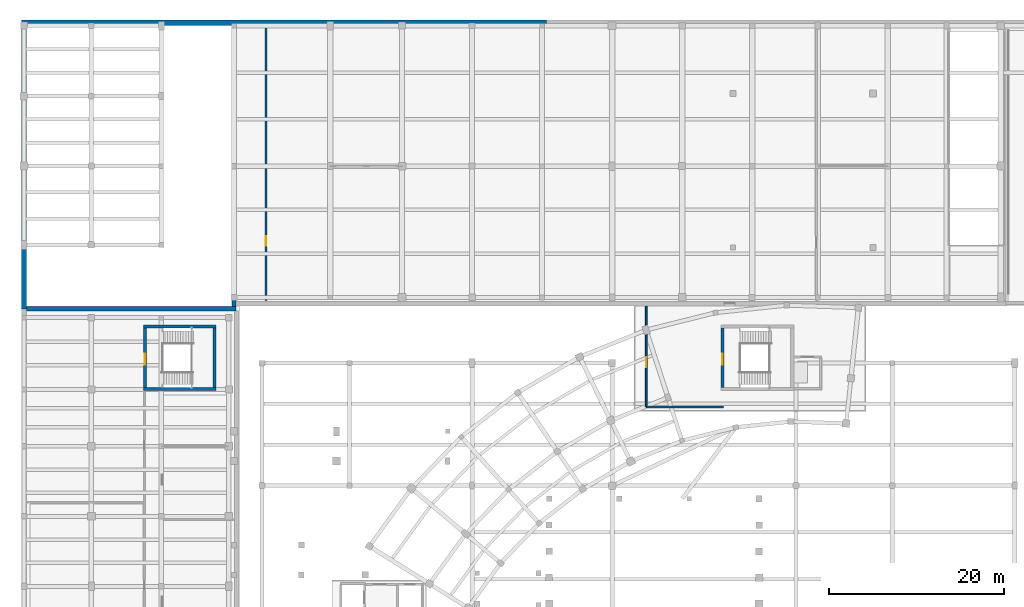
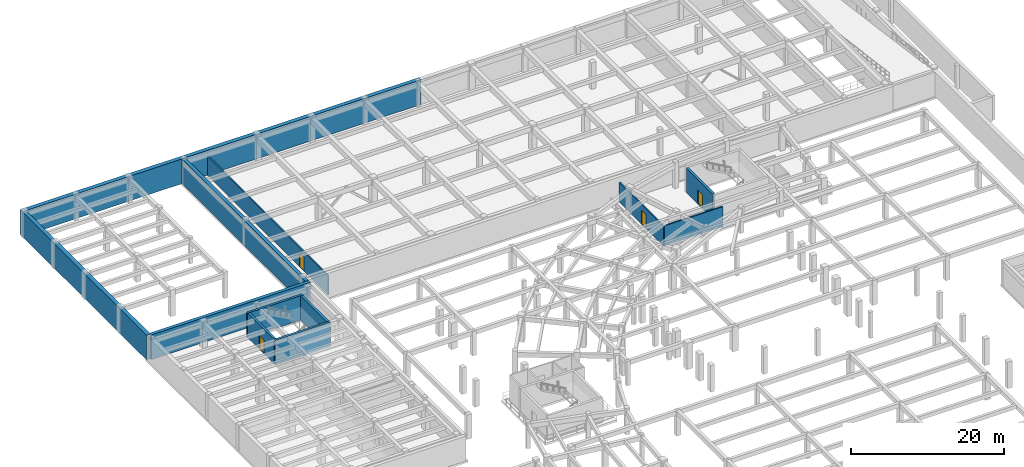
# One storey, part 24 of 35: 12 walls, 4 doors, 4 openings.
"""IFC4 building model written with IfcOpenShell, lengths in metres."""

from ifc_helpers import new_model, si_unit, direction, frame, frame_2d, origin, place, context, subcontext, project, spatial, rectangle, extrude, material, layer, layer_set, type_object, element, fill, save


model = new_model("IFC4")

# Units and contexts
model_context = context("Model", 3, precision=1e-05, world=origin(), true_north=direction((0.0, 1.0)))
body_context = subcontext(model_context, "Body", "Model", "MODEL_VIEW")
ifc_project = project(units=[si_unit("LENGTHUNIT", "METRE"), si_unit("AREAUNIT", "SQUARE_METRE"), si_unit("VOLUMEUNIT", "CUBIC_METRE"), si_unit("PLANEANGLEUNIT", "RADIAN"), si_unit("MASSUNIT", "GRAM", prefix="KILO"), si_unit("THERMODYNAMICTEMPERATUREUNIT", "KELVIN"), si_unit("POWERUNIT", "WATT")], contexts=[model_context])

# Site, building, storey
site_placement = place(None, origin())
site = spatial("IfcSite", under=ifc_project, at=site_placement, CompositionType="ELEMENT")
building_placement = place(site_placement, origin())
building = spatial("IfcBuilding", under=site, at=building_placement, Name="Solvatero Civic Police Headquarters", CompositionType="ELEMENT")
storey_placement = place(building_placement, frame((0.0, 0.0, -4.199951171875)))
storey = spatial("IfcBuildingStorey", under=building, at=storey_placement, Name="B01", CompositionType="ELEMENT", Elevation=-4.199951171875)

# Wall, opening, door
ifc_material_1 = material(Name="Concrete Blockwork", Category="masonry")
ifc_layer_1 = layer(ifc_material_1, 0.199951171875)
ifc_layer_set_1 = layer_set([ifc_layer_1], Name="Concrete Blockwork")
wall_type_1 = type_object("IfcWallType", Name="WL-PTN-200", PredefinedType="PARTITIONING", material=ifc_layer_set_1)
wall_1_placement = place(storey_placement, frame((32.449951171875, 85.199951171875, 0.0), z_axis=(0.0, 0.0, 1.0), x_axis=(0.0, 1.0, 0.0)))
wall_1 = element("IfcWall", 1, at=wall_1_placement, inside=storey, type_object=wall_type_1, Name="Interior Partition WLP-B01-ARMBAY-E", PredefinedType="PARTITIONING", context=body_context, shape_type="SweptSolid", body=[
    extrude(rectangle(XDim=31.300048828125, YDim=0.199951171875, at=frame_2d((15.64990234375, 0.0))), origin(), (0.0, 0.0, 1.0), 3.06787109375),
])
opening_1_placement = place(wall_1_placement, frame((6.199951171875, 0.0, 0.0)))
opening_1 = element("IfcOpeningElement", 2, at=opening_1_placement, cuts=wall_1, Name="Opening ID-09", PredefinedType="OPENING", context=body_context, shape_type="SweptSolid", body=[
    extrude(rectangle(XDim=1.1201171875, YDim=2.199951171875, at=frame_2d((0.56005859375, 1.10009765625))), frame((0.0, 0.10986328125, 0.0), z_axis=(0.0, -1.0, 0.0), x_axis=(1.0, 0.0, 0.0)), (0.0, 0.0, 1.0), 0.219970703125),
])
ifc_material_2 = material(Name="Powder-Coated Steel", Category="steel")
door_type_1 = type_object("IfcDoorType", Name="DR-PLT-112x220", OperationType="NOTDEFINED", PredefinedType="DOOR", material=ifc_material_2)
door_1_placement = place(opening_1_placement, origin())
door_1 = element("IfcDoor", 3, at=door_1_placement, inside=storey, type_object=door_type_1, Name="Interior Door DR-B01-ARMBAY", OperationType="SINGLE_SWING_RIGHT", OverallHeight=2.199951171875, OverallWidth=1.1201171875, PredefinedType="DOOR", context=body_context, shape_type="SweptSolid", body=[
    extrude(rectangle(XDim=1.1201171875, YDim=2.199951171875, at=frame_2d((0.56005859375, 1.10009765625))), frame((0.0, 0.02490234375, 0.0), z_axis=(0.0, -1.0, 0.0), x_axis=(1.0, 0.0, 0.0)), (0.0, 0.0, 1.0), 0.050048828125),
])
fill(opening_1, door_1)

wall_2_placement = place(storey_placement, frame((75.89990234375, 73.0, 0.0), z_axis=(0.0, 0.0, 1.0), x_axis=(0.0, 1.0, 0.0)))
wall_2 = element("IfcWall", 4, at=wall_2_placement, inside=storey, type_object=wall_type_1, Name="Interior Partition WLP-B01-C3LOB-W", PredefinedType="PARTITIONING", context=body_context, shape_type="SweptSolid", body=[
    extrude(rectangle(XDim=11.5, YDim=0.199951171875, at=frame_2d((5.75, 0.0))), origin(), (0.0, 0.0, 1.0), 3.137939453125),
])
opening_2_placement = place(wall_2_placement, frame((4.5, 0.0, 0.0)))
opening_2 = element("IfcOpeningElement", 5, at=opening_2_placement, cuts=wall_2, Name="Opening ID-11", PredefinedType="OPENING", context=body_context, shape_type="SweptSolid", body=[
    extrude(rectangle(XDim=1.179931640625, YDim=2.239990234375, at=frame_2d((0.58984375, 1.1201171875))), frame((0.0, 0.10986328125, 0.0), z_axis=(0.0, -1.0, 0.0), x_axis=(1.0, 0.0, 0.0)), (0.0, 0.0, 1.0), 0.219970703125),
])
door_type_2 = type_object("IfcDoorType", Name="DR-COR-118x224", OperationType="NOTDEFINED", PredefinedType="DOOR", material=ifc_material_2)
door_2_placement = place(opening_2_placement, origin())
door_2 = element("IfcDoor", 6, at=door_2_placement, inside=storey, type_object=door_type_2, Name="Interior Door DR-B01-C3LOB", OperationType="SINGLE_SWING_RIGHT", OverallHeight=2.239990234375, OverallWidth=1.179931640625, PredefinedType="DOOR", context=body_context, shape_type="SweptSolid", body=[
    extrude(rectangle(XDim=1.179931640625, YDim=2.239990234375, at=frame_2d((0.58984375, 1.1201171875))), frame((0.0, 0.02490234375, 0.0), z_axis=(0.0, -1.0, 0.0), x_axis=(1.0, 0.0, 0.0)), (0.0, 0.0, 1.0), 0.050048828125),
])
fill(opening_2, door_2)

# Walls
wall_3_placement = place(storey_placement, frame((75.89990234375, 73.0, 0.0), z_axis=(0.0, 0.0, 1.0), x_axis=(1.0, 0.0, 0.0)))
element("IfcWall", 7, at=wall_3_placement, inside=storey, type_object=wall_type_1, Name="Interior Partition WLP-B01-C3LOB-S", PredefinedType="PARTITIONING", context=body_context, shape_type="SweptSolid", body=[
    extrude(rectangle(XDim=8.800048828125, YDim=0.199951171875, at=frame_2d((4.39990234375, 0.0))), origin(), (0.0, 0.0, 1.0), 3.18798828125),
])
ifc_material_3 = material(Name="Concrete C35/45", Category="concrete")
ifc_layer_2 = layer(ifc_material_3, 0.5)
ifc_layer_set_2 = layer_set([ifc_layer_2], Name="Concrete C35/45")
wall_type_2 = type_object("IfcWallType", Name="WL-RET-500", PredefinedType="USERDEFINED", material=ifc_layer_set_2)
wall_4_placement = place(storey_placement, frame((28.800048828125, 84.449951171875, 0.0), z_axis=(0.0, 0.0, 1.0), x_axis=(0.0, 1.0, 0.0)))
element("IfcWall", 8, at=wall_4_placement, inside=storey, type_object=wall_type_2, Name="B01 Watertight Tanked Retaining Wall RW-INT-NW", ObjectType="RETAINING WALL", PredefinedType="USERDEFINED", context=body_context, shape_type="SweptSolid", body=[
    extrude(rectangle(XDim=32.150146484375, YDim=0.5, at=frame_2d((16.0751953125, 0.0))), origin(), (0.0, 0.0, 1.0), 3.93994140625),
])
wall_5_placement = place(storey_placement, frame((5.10009765625, 84.199951171875, 0.0), z_axis=(0.0, 0.0, 1.0), x_axis=(1.0, 0.0, 0.0)))
element("IfcWall", 9, at=wall_5_placement, inside=storey, type_object=wall_type_2, Name="B01 Watertight Tanked Retaining Wall RW-INT-WN", ObjectType="RETAINING WALL", PredefinedType="USERDEFINED", context=body_context, shape_type="SweptSolid", body=[
    extrude(rectangle(XDim=23.949951171875, YDim=0.5, at=frame_2d((11.97509765625, 0.0))), origin(), (0.0, 0.0, 1.0), 3.93994140625),
])
ifc_layer_3 = layer(ifc_material_3, 0.60009765625)
ifc_layer_set_3 = layer_set([ifc_layer_3], Name="Concrete C35/45")
wall_type_3 = type_object("IfcWallType", Name="WL-RET-600", PredefinedType="USERDEFINED", material=ifc_layer_set_3)
wall_6_placement = place(storey_placement, frame((4.5, 116.89990234375, 0.0), z_axis=(0.0, 0.0, 1.0), x_axis=(1.0, 0.0, 0.0)))
element("IfcWall", 10, at=wall_6_placement, inside=storey, type_object=wall_type_3, Name="B01 Watertight Tanked Retaining Wall RW-PERIM-N1", ObjectType="RETAINING WALL", PredefinedType="USERDEFINED", context=body_context, shape_type="SweptSolid", body=[
    extrude(rectangle(XDim=60.0, YDim=0.60009765625, at=frame_2d((30.0, 0.0))), origin(), (0.0, 0.0, 1.0), 3.93994140625),
])
wall_7_placement = place(storey_placement, frame((4.800048828125, 84.199951171875, 0.0), z_axis=(0.0, 0.0, 1.0), x_axis=(0.0, 1.0, 0.0)))
element("IfcWall", 11, at=wall_7_placement, inside=storey, type_object=wall_type_3, Name="B01 Watertight Tanked Retaining Wall RW-PERIM-W3", ObjectType="RETAINING WALL", PredefinedType="USERDEFINED", context=body_context, shape_type="SweptSolid", body=[
    extrude(rectangle(XDim=32.400146484375, YDim=0.60009765625, at=frame_2d((16.2001953125, 0.0))), origin(), (0.0, 0.0, 1.0), 3.93994140625),
])

# Wall, opening, door
ifc_material_4 = material(Name="Concrete C40/50", Category="concrete")
ifc_layer_4 = layer(ifc_material_4, 0.35009765625)
ifc_layer_set_4 = layer_set([ifc_layer_4], Name="Concrete C40/50")
wall_type_4 = type_object("IfcWallType", Name="WL-SHR-350", PredefinedType="SHEAR", material=ifc_layer_set_4)
wall_8_placement = place(storey_placement, frame((84.625, 75.199951171875, 0.0), z_axis=(0.0, 0.0, 1.0), x_axis=(0.0, 1.0, 0.0)))
wall_8 = element("IfcWall", 12, at=wall_8_placement, inside=storey, type_object=wall_type_4, Name="Core C3 Shear Wall W B01", PredefinedType="SHEAR", context=body_context, shape_type="SweptSolid", body=[
    extrude(rectangle(XDim=6.800048828125, YDim=0.35009765625, at=frame_2d((3.39990234375, 0.0))), origin(), (0.0, 0.0, 1.0), 3.89990234375),
])
opening_3_placement = place(wall_8_placement, frame((2.60009765625, 0.0, 0.0)))
opening_3 = element("IfcOpeningElement", 13, at=opening_3_placement, cuts=wall_8, Name="Opening FD-01", PredefinedType="OPENING", context=body_context, shape_type="SweptSolid", body=[
    extrude(rectangle(XDim=1.25, YDim=2.199951171875, at=frame_2d((0.625, 1.10009765625))), frame((0.0, 0.18505859375, 0.0), z_axis=(0.0, -1.0, 0.0), x_axis=(1.0, 0.0, 0.0)), (0.0, 0.0, 1.0), 0.3701171875),
])
door_type_3 = type_object("IfcDoorType", Name="DR-STR-125x220", OperationType="NOTDEFINED", PredefinedType="DOOR", material=ifc_material_2)
door_3_placement = place(opening_3_placement, origin())
door_3 = element("IfcDoor", 14, at=door_3_placement, inside=storey, type_object=door_type_3, Name="Interior Door DR-STR-C3-B01", OperationType="SINGLE_SWING_LEFT", OverallHeight=2.199951171875, OverallWidth=1.25, PredefinedType="DOOR", context=body_context, shape_type="SweptSolid", body=[
    extrude(rectangle(XDim=1.25, YDim=2.199951171875, at=frame_2d((0.625, 1.10009765625))), frame((0.0, 0.02490234375, 0.0), z_axis=(0.0, -1.0, 0.0), x_axis=(1.0, 0.0, 0.0)), (0.0, 0.0, 1.0), 0.050048828125),
])
fill(opening_3, door_3)

# Walls
for number, where, z_axis, x_axis, name in (
    (15, (18.449951171875, 75.02490234375, 0.0), (0.0, 0.0, 1.0), (1.0, 0.0, 0.0), "Core C4 Shear Wall S B01"),
    (16, (18.449951171875, 82.175048828125, 0.0), (0.0, 0.0, 1.0), (1.0, 0.0, 0.0), "Core C4 Shear Wall N B01"),
):
    element("IfcWall", number, at=place(storey_placement, frame(where, z_axis=z_axis, x_axis=x_axis)), inside=storey, type_object=wall_type_4, Name=name, PredefinedType="SHEAR", context=body_context, shape_type="SweptSolid", body=[
        extrude(rectangle(XDim=8.300048828125, YDim=0.35009765625, at=frame_2d((4.14990234375, 0.0))), origin(), (0.0, 0.0, 1.0), 3.89990234375),
    ])

# Wall, opening, door
wall_9_placement = place(storey_placement, frame((18.625, 75.199951171875, 0.0), z_axis=(0.0, 0.0, 1.0), x_axis=(0.0, 1.0, 0.0)))
wall_9 = element("IfcWall", 17, at=wall_9_placement, inside=storey, type_object=wall_type_4, Name="Core C4 Shear Wall W B01", PredefinedType="SHEAR", context=body_context, shape_type="SweptSolid", body=[
    extrude(rectangle(XDim=6.800048828125, YDim=0.35009765625, at=frame_2d((3.39990234375, 0.0))), origin(), (0.0, 0.0, 1.0), 3.89990234375),
])
opening_4_placement = place(wall_9_placement, frame((2.60009765625, 0.0, 0.0)))
opening_4 = element("IfcOpeningElement", 18, at=opening_4_placement, cuts=wall_9, Name="Opening FD-01", PredefinedType="OPENING", context=body_context, shape_type="SweptSolid", body=[
    extrude(rectangle(XDim=1.25, YDim=2.199951171875, at=frame_2d((0.625, 1.10009765625))), frame((0.0, 0.18505859375, 0.0), z_axis=(0.0, -1.0, 0.0), x_axis=(1.0, 0.0, 0.0)), (0.0, 0.0, 1.0), 0.3701171875),
])
door_4_placement = place(opening_4_placement, origin())
door_4 = element("IfcDoor", 19, at=door_4_placement, inside=storey, type_object=door_type_3, Name="Interior Door DR-STR-C4-B01", OperationType="SINGLE_SWING_LEFT", OverallHeight=2.199951171875, OverallWidth=1.25, PredefinedType="DOOR", context=body_context, shape_type="SweptSolid", body=[
    extrude(rectangle(XDim=1.25, YDim=2.199951171875, at=frame_2d((0.625, 1.10009765625))), frame((0.0, 0.02490234375, 0.0), z_axis=(0.0, -1.0, 0.0), x_axis=(1.0, 0.0, 0.0)), (0.0, 0.0, 1.0), 0.050048828125),
])
fill(opening_4, door_4)

# Wall
wall_10_placement = place(storey_placement, frame((26.574951171875, 75.199951171875, 0.0), z_axis=(0.0, 0.0, 1.0), x_axis=(0.0, 1.0, 0.0)))
element("IfcWall", 20, at=wall_10_placement, inside=storey, type_object=wall_type_4, Name="Core C4 Shear Wall E B01", PredefinedType="SHEAR", context=body_context, shape_type="SweptSolid", body=[
    extrude(rectangle(XDim=6.800048828125, YDim=0.35009765625, at=frame_2d((3.39990234375, 0.0))), origin(), (0.0, 0.0, 1.0), 3.89990234375),
])

save(model, "model.ifc")
